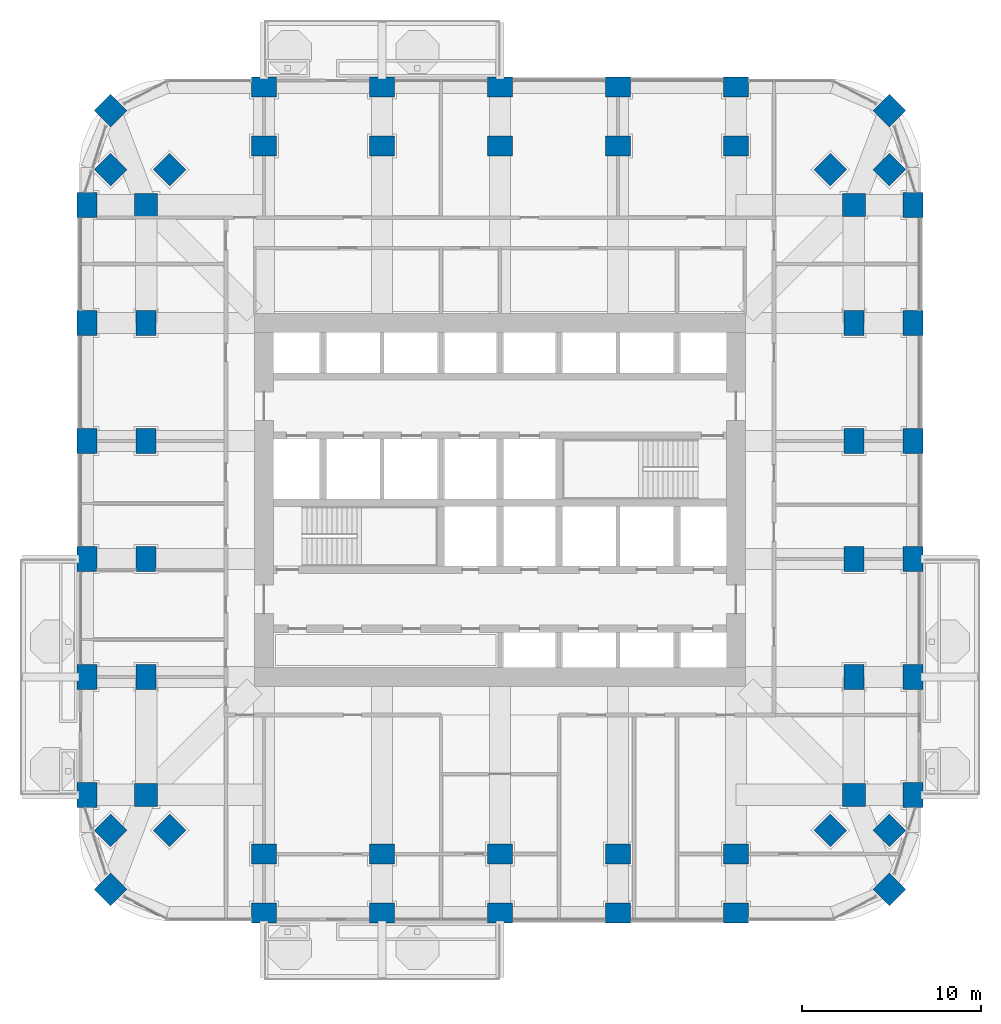
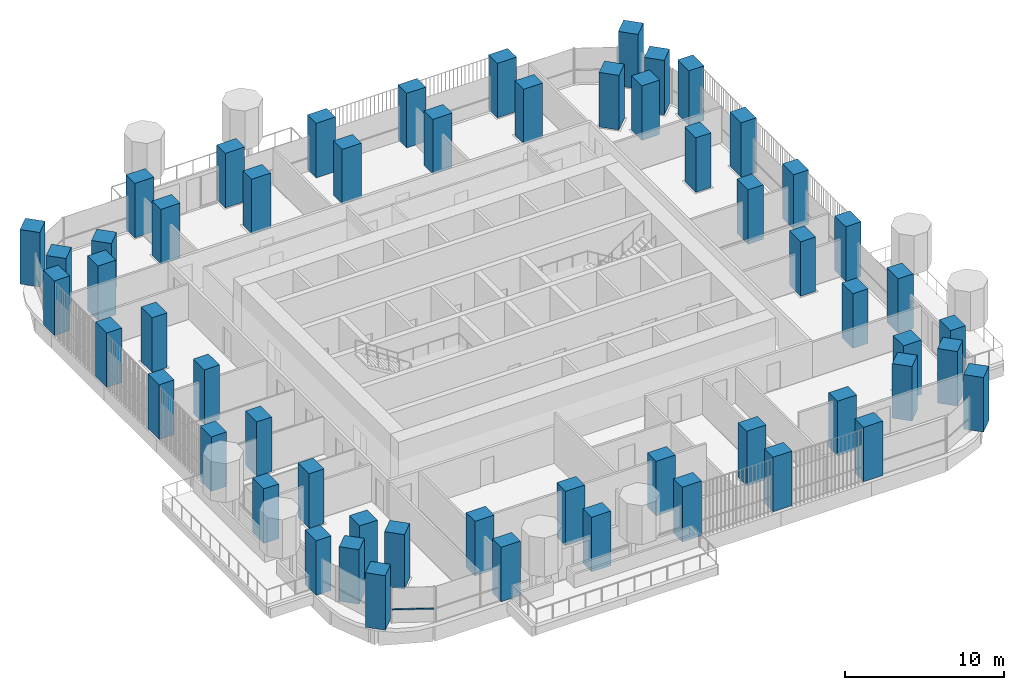
# One storey, part 1 of 21: 56 columns, 1 member, 1 element without a shape of its own.
"""IFC4 building model written with IfcOpenShell, lengths in metres."""

from ifc_helpers import new_model, si_unit, direction, frame, origin, origin_2d, place, context, subcontext, project, spatial, rectangle, extrude, material, material_profile, profile_set, type_object, element, aggregate, save


model = new_model("IFC4")

# Units and contexts
model_context = context("Model", 3, precision=1e-05, world=origin(), true_north=direction((0.0, 1.0)))
body_context = subcontext(model_context, "Body", "Model", "MODEL_VIEW")
ifc_project = project(units=[si_unit("LENGTHUNIT", "METRE"), si_unit("AREAUNIT", "SQUARE_METRE"), si_unit("VOLUMEUNIT", "CUBIC_METRE"), si_unit("PLANEANGLEUNIT", "RADIAN"), si_unit("MASSUNIT", "GRAM", prefix="KILO")], contexts=[model_context])

# Site, building, storey
site_placement = place(None, origin())
site = spatial("IfcSite", under=ifc_project, at=site_placement, CompositionType="ELEMENT")
building_placement = place(site_placement, origin())
building = spatial("IfcBuilding", under=site, at=building_placement, Name="Cobogo Forest Laboratory Tower", CompositionType="ELEMENT")
storey_placement = place(building_placement, frame((0.0, 0.0, 115.800048828125)))
storey = spatial("IfcBuildingStorey", under=building, at=storey_placement, Name="L26", CompositionType="ELEMENT", Elevation=115.800048828125)

# Columns
ifc_material_1 = material(Name="Concrete HA-50 (C50/60)", Category="concrete")
ifc_material_profile_1 = material_profile(ifc_material_1, rectangle(XDim=1.39990234375, YDim=1.10009765625, at=origin_2d()), Name="RC 1100x1400")
ifc_profile_set_1 = profile_set([ifc_material_profile_1], Name="Concrete HA-50 (C50/60)")
column_type_1 = type_object("IfcColumnType", Name="Blade column 1100x1400", PredefinedType="COLUMN", material=ifc_profile_set_1)
for number, where, z_axis, x_axis, name in (
    (1, (13.199951171875, 0.0, 0.0), (0.0, 0.0, 1.0), (1.0, 0.0, 0.0), "Column 3-A L26"),
    (2, (19.800048828125, 0.0, 0.0), (0.0, 0.0, 1.0), (1.0, 0.0, 0.0), "Column 4-A L26"),
    (3, (26.39990234375, 0.0, 0.0), (0.0, 0.0, 1.0), (1.0, 0.0, 0.0), "Column 5-A L26"),
    (4, (33.0, 0.0, 0.0), (0.0, 0.0, 1.0), (1.0, 0.0, 0.0), "Column 6-A L26"),
    (5, (39.60009765625, 0.0, 0.0), (0.0, 0.0, 1.0), (1.0, 0.0, 0.0), "Column 7-A L26"),
    (6, (3.300048828125, 6.60009765625, 0.0), (0.0, 0.0, 1.0), (0.0, 1.0, 0.0), "Column 1.1-B L26"),
    (7, (49.5, 6.60009765625, 0.0), (0.0, 0.0, 1.0), (0.0, 1.0, 0.0), "Column 8.1-B L26"),
    (8, (3.300048828125, 13.199951171875, 0.0), (0.0, 0.0, 1.0), (0.0, 1.0, 0.0), "Column 1.1-C L26"),
    (9, (49.5, 13.199951171875, 0.0), (0.0, 0.0, 1.0), (0.0, 1.0, 0.0), "Column 8.1-C L26"),
    (10, (3.300048828125, 19.800048828125, 0.0), (0.0, 0.0, 1.0), (0.0, 1.0, 0.0), "Column 1.1-D L26"),
    (11, (49.5, 19.800048828125, 0.0), (0.0, 0.0, 1.0), (0.0, 1.0, 0.0), "Column 8.1-D L26"),
    (12, (3.300048828125, 26.39990234375, 0.0), (0.0, 0.0, 1.0), (0.0, 1.0, 0.0), "Column 1.1-E L26"),
    (13, (49.5, 26.39990234375, 0.0), (0.0, 0.0, 1.0), (0.0, 1.0, 0.0), "Column 8.1-E L26"),
    (14, (3.300048828125, 33.0, 0.0), (0.0, 0.0, 1.0), (0.0, 1.0, 0.0), "Column 1.1-F L26"),
    (15, (49.5, 33.0, 0.0), (0.0, 0.0, 1.0), (0.0, 1.0, 0.0), "Column 8.1-F L26"),
    (16, (3.300048828125, 39.60009765625, 0.0), (0.0, 0.0, 1.0), (0.0, 1.0, 0.0), "Column 1.1-G L26"),
    (17, (49.5, 39.60009765625, 0.0), (0.0, 0.0, 1.0), (0.0, 1.0, 0.0), "Column 8.1-G L26"),
    (18, (13.199951171875, 46.199951171875, 0.0), (0.0, 0.0, 1.0), (1.0, 0.0, 0.0), "Column 3-H L26"),
    (19, (19.800048828125, 46.199951171875, 0.0), (0.0, 0.0, 1.0), (1.0, 0.0, 0.0), "Column 4-H L26"),
    (20, (26.39990234375, 46.199951171875, 0.0), (0.0, 0.0, 1.0), (1.0, 0.0, 0.0), "Column 5-H L26"),
    (21, (33.0, 46.199951171875, 0.0), (0.0, 0.0, 1.0), (1.0, 0.0, 0.0), "Column 6-H L26"),
    (22, (39.60009765625, 46.199951171875, 0.0), (0.0, 0.0, 1.0), (1.0, 0.0, 0.0), "Column 7-H L26"),
    (23, (13.199951171875, 3.300048828125, 0.0), (0.0, 0.0, 1.0), (1.0, 0.0, 0.0), "Column 3-A.1-C L26"),
    (24, (19.800048828125, 3.300048828125, 0.0), (0.0, 0.0, 1.0), (1.0, 0.0, 0.0), "Column 4-A.1-C L26"),
    (25, (26.39990234375, 3.300048828125, 0.0), (0.0, 0.0, 1.0), (1.0, 0.0, 0.0), "Column 5-A.1-C L26"),
    (26, (33.0, 3.300048828125, 0.0), (0.0, 0.0, 1.0), (1.0, 0.0, 0.0), "Column 6-A.1-C L26"),
    (27, (39.60009765625, 3.300048828125, 0.0), (0.0, 0.0, 1.0), (1.0, 0.0, 0.0), "Column 7-A.1-C L26"),
    (28, (13.199951171875, 42.89990234375, 0.0), (0.0, 0.0, 1.0), (1.0, 0.0, 0.0), "Column 3-G.1-C L26"),
    (29, (19.800048828125, 42.89990234375, 0.0), (0.0, 0.0, 1.0), (1.0, 0.0, 0.0), "Column 4-G.1-C L26"),
    (30, (26.39990234375, 42.89990234375, 0.0), (0.0, 0.0, 1.0), (1.0, 0.0, 0.0), "Column 5-G.1-C L26"),
    (31, (33.0, 42.89990234375, 0.0), (0.0, 0.0, 1.0), (1.0, 0.0, 0.0), "Column 6-G.1-C L26"),
    (32, (39.60009765625, 42.89990234375, 0.0), (0.0, 0.0, 1.0), (1.0, 0.0, 0.0), "Column 7-G.1-C L26"),
    (33, (6.60009765625, 13.199951171875, 0.0), (0.0, 0.0, 1.0), (0.0, 1.0, 0.0), "Column 2-C-D L26"),
    (34, (46.199951171875, 13.199951171875, 0.0), (0.0, 0.0, 1.0), (0.0, 1.0, 0.0), "Column 8-C-D L26"),
    (35, (6.60009765625, 19.800048828125, 0.0), (0.0, 0.0, 1.0), (0.0, 1.0, 0.0), "Column 2-D-D L26"),
    (36, (46.199951171875, 19.800048828125, 0.0), (0.0, 0.0, 1.0), (0.0, 1.0, 0.0), "Column 8-D-D L26"),
    (37, (6.60009765625, 26.39990234375, 0.0), (0.0, 0.0, 1.0), (0.0, 1.0, 0.0), "Column 2-E-D L26"),
    (38, (46.199951171875, 26.39990234375, 0.0), (0.0, 0.0, 1.0), (0.0, 1.0, 0.0), "Column 8-E-D L26"),
    (39, (6.60009765625, 33.0, 0.0), (0.0, 0.0, 1.0), (0.0, 1.0, 0.0), "Column 2-F-D L26"),
    (40, (46.199951171875, 33.0, 0.0), (0.0, 0.0, 1.0), (0.0, 1.0, 0.0), "Column 8-F-D L26"),
):
    element("IfcColumn", number, at=place(storey_placement, frame(where, z_axis=z_axis, x_axis=x_axis)), inside=storey, type_object=column_type_1, Name=name, PredefinedType="COLUMN", context=body_context, shape_type="SweptSolid", body=[
        extrude(rectangle(XDim=1.39990234375, YDim=1.10009765625, at=origin_2d()), origin(), (0.0, 0.0, 1.0), 4.199951171875),
    ])
ifc_material_profile_2 = material_profile(ifc_material_1, rectangle(XDim=1.300048828125, YDim=1.300048828125, at=origin_2d()), Name="RC 1300x1300")
ifc_profile_set_2 = profile_set([ifc_material_profile_2], Name="Concrete HA-50 (C50/60)")
column_type_2 = type_object("IfcColumnType", Name="Column 1300x1300", PredefinedType="COLUMN", material=ifc_profile_set_2)
for number, where, z_axis, x_axis, name in (
    (41, (4.617919921875, 1.318115234375, 0.0), (0.0, 0.0, 1.0), (0.707106781187, 0.707106781187, 0.0), "Column CNR-SW L26"),
    (42, (48.181884765625, 1.318115234375, 0.0), (0.0, 0.0, 1.0), (0.707106781187, 0.707106781187, 0.0), "Column CNR-SE L26"),
    (43, (4.617919921875, 44.882080078125, 0.0), (0.0, 0.0, 1.0), (0.707106781187, 0.707106781187, 0.0), "Column CNR-NW L26"),
    (44, (48.181884765625, 44.882080078125, 0.0), (0.0, 0.0, 1.0), (0.707106781187, 0.707106781187, 0.0), "Column CNR-NE L26"),
    (45, (6.60009765625, 6.60009765625, 0.0), (0.0, 0.0, 1.0), (1.0, 0.0, 0.0), "Column 2-B L26"),
    (46, (46.199951171875, 6.60009765625, 0.0), (0.0, 0.0, 1.0), (1.0, 0.0, 0.0), "Column 8-B L26"),
    (47, (6.60009765625, 39.60009765625, 0.0), (0.0, 0.0, 1.0), (1.0, 0.0, 0.0), "Column 2-G L26"),
    (48, (46.199951171875, 39.60009765625, 0.0), (0.0, 0.0, 1.0), (1.0, 0.0, 0.0), "Column 8-G L26"),
    (49, (4.617919921875, 4.617919921875, 0.0), (0.0, 0.0, 1.0), (0.707106781187, 0.707106781187, 0.0), "Column CNR-SW-C L26"),
    (50, (48.181884765625, 4.617919921875, 0.0), (0.0, 0.0, 1.0), (0.707106781187, 0.707106781187, 0.0), "Column CNR-SE-C L26"),
    (51, (4.617919921875, 41.58203125, 0.0), (0.0, 0.0, 1.0), (0.707106781187, 0.707106781187, 0.0), "Column CNR-NW-C L26"),
    (52, (48.181884765625, 41.58203125, 0.0), (0.0, 0.0, 1.0), (0.707106781187, 0.707106781187, 0.0), "Column CNR-NE-C L26"),
    (53, (7.91796875, 4.617919921875, 0.0), (0.0, 0.0, 1.0), (0.707106781187, 0.707106781187, 0.0), "Column CNR-SW-D L26"),
    (54, (44.882080078125, 4.617919921875, 0.0), (0.0, 0.0, 1.0), (0.707106781187, 0.707106781187, 0.0), "Column CNR-SE-D L26"),
    (55, (7.91796875, 41.58203125, 0.0), (0.0, 0.0, 1.0), (0.707106781187, 0.707106781187, 0.0), "Column CNR-NW-D L26"),
    (56, (44.882080078125, 41.58203125, 0.0), (0.0, 0.0, 1.0), (0.707106781187, 0.707106781187, 0.0), "Column CNR-NE-D L26"),
):
    element("IfcColumn", number, at=place(storey_placement, frame(where, z_axis=z_axis, x_axis=x_axis)), inside=storey, type_object=column_type_2, Name=name, PredefinedType="COLUMN", context=body_context, shape_type="SweptSolid", body=[
        extrude(rectangle(XDim=1.300048828125, YDim=1.300048828125, at=origin_2d()), origin(), (0.0, 0.0, 1.0), 4.199951171875),
    ])

# Curtain wall, member
ifc_material_2 = material(Name="Aluminium curtain wall", Category="aluminium")
curtain_wall_type = type_object("IfcCurtainWallType", Name="CW-1 unitised curtain wall, clear glazing, laboratory floors zones A and B", PredefinedType="USERDEFINED", material=ifc_material_2)
curtain_wall_placement = place(storey_placement, origin())
curtain_wall = element("IfcCurtainWall", 57, at=curtain_wall_placement, inside=storey, type_object=curtain_wall_type, Name="Curtain wall 34 L26", ObjectType="UNITISED CURTAIN WALL", PredefinedType="USERDEFINED")
ifc_material_3 = material(Name="Aluminium transom", Category="aluminium")
ifc_material_profile_3 = material_profile(ifc_material_3, rectangle(XDim=0.1201171875, YDim=0.06005859375, at=origin_2d()), Name="AL 60x120")
ifc_profile_set_3 = profile_set([ifc_material_profile_3], Name="Aluminium transom")
member_type = type_object("IfcMemberType", Name="TR-1 aluminium transom 60x120", PredefinedType="USERDEFINED", material=ifc_profile_set_3)
member_placement = place(storey_placement, frame((5.394775390625, 0.910888671875, 1.050048828125), z_axis=(0.885694740493, -0.464268054753, 0.0), x_axis=(0.464268054753, 0.885694740493, 0.0)))
member = element("IfcMember", 58, at=member_placement, type_object=member_type, Name="CW-1 transom 1.1", ObjectType="TRANSOM", PredefinedType="USERDEFINED", context=body_context, shape_type="SweptSolid", body=[
    extrude(rectangle(XDim=0.1201171875, YDim=0.06005859375, at=origin_2d()), origin(), (0.0, 0.0, 1.0), 2.655517578125),
])
aggregate(curtain_wall, [member])

save(model, "model.ifc")
